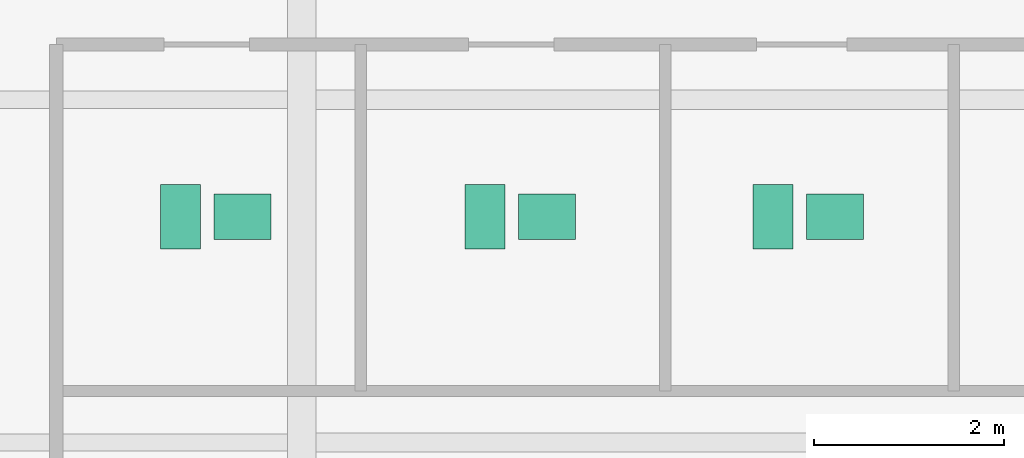
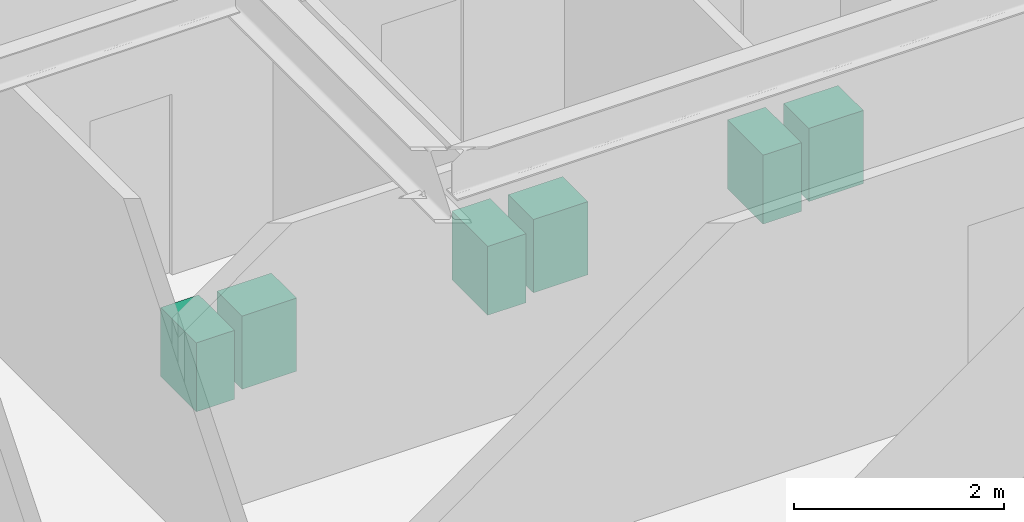
# One storey, part 28 of 28: 6 sanitary terminals.
"""IFC4 building model written with IfcOpenShell, lengths in metres."""

from ifc_helpers import new_model, si_unit, direction, frame, origin, origin_2d, place, context, subcontext, project, spatial, rectangle, extrude, source, transform, mapped, material, type_object, type_shapes, element, save


model = new_model("IFC4")

# Units and contexts
model_context = context("Model", 3, precision=1e-05, world=origin(), true_north=direction((0.0, 1.0)))
body_context = subcontext(model_context, "Body", "Model", "MODEL_VIEW")
ifc_project = project(units=[si_unit("LENGTHUNIT", "METRE"), si_unit("AREAUNIT", "SQUARE_METRE"), si_unit("VOLUMEUNIT", "CUBIC_METRE"), si_unit("PLANEANGLEUNIT", "RADIAN"), si_unit("MASSUNIT", "GRAM", prefix="KILO")], contexts=[model_context])

# Site, building, storey
site_placement = place(None, origin())
site = spatial("IfcSite", under=ifc_project, at=site_placement, CompositionType="ELEMENT")
building_placement = place(site_placement, origin())
building = spatial("IfcBuilding", under=site, at=building_placement, Name="Krantzveldt Concourse Tower", CompositionType="ELEMENT")
storey_placement = place(building_placement, frame((0.0, 0.0, 117.699951171875)))
storey = spatial("IfcBuildingStorey", under=building, at=storey_placement, Name="L28", CompositionType="ELEMENT", Elevation=117.699951171875)

# Sanitary terminals
ifc_material = material(Name="Vitreous china", Category="ceramic")
sanitary_terminal_type_1 = type_object("IfcSanitaryTerminalType", Name="SAN-WC-SUITE", PredefinedType="TOILETPAN", material=ifc_material)
shared_shape_1 = source(origin(), body_context, "Body", "SweptSolid", [
    extrude(rectangle(XDim=0.419921875, YDim=0.679931640625, at=origin_2d()), origin(), (0.0, 0.0, 1.0), 0.800048828125),
])
type_shapes(sanitary_terminal_type_1, [shared_shape_1])
for number, where, z_axis, x_axis, name in (
    (1, (29.324951171875, 32.570068359375, 0.0), (0.0, 0.0, 1.0), (1.0, 0.0, 0.0), "WC-SP-L28-WCM"),
    (2, (32.52490234375, 32.570068359375, 0.0), (0.0, 0.0, 1.0), (1.0, 0.0, 0.0), "WC-SP-L28-WCF"),
    (3, (35.550048828125, 32.570068359375, 0.0), (0.0, 0.0, 1.0), (1.0, 0.0, 0.0), "WC-SP-L28-WCA"),
):
    element("IfcSanitaryTerminal", number, at=place(storey_placement, frame(where, z_axis=z_axis, x_axis=x_axis)), inside=storey, type_object=sanitary_terminal_type_1, Name=name, PredefinedType="TOILETPAN", context=body_context, shape_type="MappedRepresentation", body=[
        mapped(shared_shape_1, transform((0.0, 0.0, 0.0), x_axis=(1.0, 0.0, 0.0), y_axis=(0.0, 1.0, 0.0), z_axis=(0.0, 0.0, 1.0), scale=1.0)),
    ])
sanitary_terminal_type_2 = type_object("IfcSanitaryTerminalType", Name="SAN-BASIN-600", PredefinedType="WASHHANDBASIN", material=ifc_material)
shared_shape_2 = source(origin(), body_context, "Body", "SweptSolid", [
    extrude(rectangle(XDim=0.60009765625, YDim=0.47998046875, at=origin_2d()), origin(), (0.0, 0.0, 1.0), 0.85009765625),
])
type_shapes(sanitary_terminal_type_2, [shared_shape_2])
for number, where, z_axis, x_axis, name in (
    (4, (29.97509765625, 32.570068359375, 0.0048828125), (0.0, 0.0, 1.0), (1.0, 0.0, 0.0), "BSN-SP-L28-WCM"),
    (5, (33.175048828125, 32.570068359375, 0.0048828125), (0.0, 0.0, 1.0), (1.0, 0.0, 0.0), "BSN-SP-L28-WCF"),
    (6, (36.199951171875, 32.570068359375, 0.0048828125), (0.0, 0.0, 1.0), (1.0, 0.0, 0.0), "BSN-SP-L28-WCA"),
):
    element("IfcSanitaryTerminal", number, at=place(storey_placement, frame(where, z_axis=z_axis, x_axis=x_axis)), inside=storey, type_object=sanitary_terminal_type_2, Name=name, PredefinedType="WASHHANDBASIN", context=body_context, shape_type="MappedRepresentation", body=[
        mapped(shared_shape_2, transform((0.0, 0.0, 0.0), x_axis=(1.0, 0.0, 0.0), y_axis=(0.0, 1.0, 0.0), z_axis=(0.0, 0.0, 1.0), scale=1.0)),
    ])

save(model, "model.ifc")
